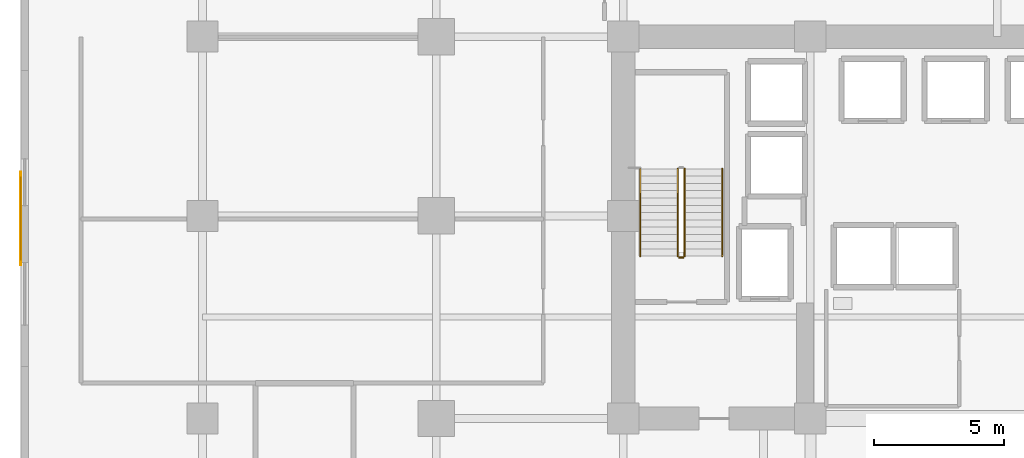
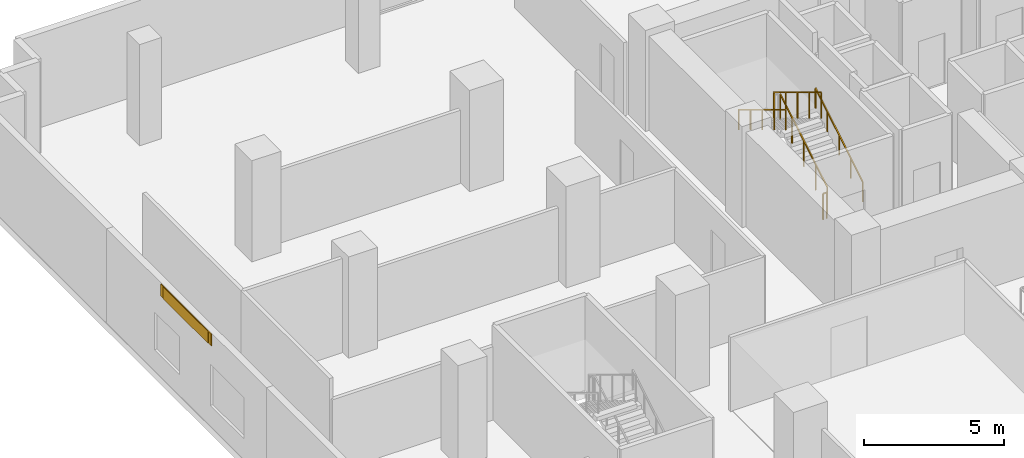
# One storey, part 17 of 22: 5 railings, 1 covering, 1 shading device.
"""IFC4 building model written with IfcOpenShell, lengths in metres."""

from ifc_helpers import new_model, si_unit, direction, frame, origin, origin_2d, place, context, subcontext, project, spatial, rectangle, extrude, source, transform, mapped, material, layer, layer_set, type_object, element, save


model = new_model("IFC4")

# Units and contexts
model_context = context("Model", 3, precision=1e-05, world=origin(), true_north=direction((0.0, 1.0)))
body_context = subcontext(model_context, "Body", "Model", "MODEL_VIEW")
ifc_project = project(units=[si_unit("LENGTHUNIT", "METRE"), si_unit("AREAUNIT", "SQUARE_METRE"), si_unit("VOLUMEUNIT", "CUBIC_METRE"), si_unit("PLANEANGLEUNIT", "RADIAN"), si_unit("MASSUNIT", "GRAM", prefix="KILO")], contexts=[model_context])

# Site, building, storey
site_placement = place(None, origin())
site = spatial("IfcSite", under=ifc_project, at=site_placement, CompositionType="ELEMENT")
building_placement = place(site_placement, origin())
building = spatial("IfcBuilding", under=site, at=building_placement, Name="Zarnakvel Exchange Tower", CompositionType="ELEMENT")
storey_placement = place(building_placement, frame((0.0, 0.0, 9.39990234375)))
storey = spatial("IfcBuildingStorey", under=building, at=storey_placement, Name="L02", CompositionType="ELEMENT", Elevation=9.39990234375)

# Railings
ifc_material_1 = material(Name="Brushed Stainless Steel", Category="steel")
railing_type_1 = type_object("IfcRailingType", Name="HR-01", PredefinedType="HANDRAIL", material=ifc_material_1)
railing_1_placement = place(storey_placement, frame((-10.590087890625, 5.050048828125, 0.16943359375)))
element("IfcRailing", 1, at=railing_1_placement, inside=storey, type_object=railing_type_1, Name="L02 ST-01 stair handrail 1", PredefinedType="HANDRAIL", context=body_context, shape_type="SweptSolid", body=[
    extrude(rectangle(XDim=0.048095703125, YDim=0.048095703125, at=origin_2d()), frame((0.0, 0.0, 0.8759765625), z_axis=(0.0, 0.855820338506, 0.51727318527), x_axis=(-1.0, 0.0, 0.0)), (0.0, 0.0, 1.0), 3.92578125),
    extrude(rectangle(XDim=0.0419921875, YDim=0.0419921875, at=origin_2d()), origin(), (0.0, 0.0, 1.0), 0.851806640625),
    extrude(rectangle(XDim=0.0419921875, YDim=0.0419921875, at=origin_2d()), frame((0.0, 0.83984375, 0.5078125)), (0.0, 0.0, 1.0), 0.851806640625),
    extrude(rectangle(XDim=0.0419921875, YDim=0.0419921875, at=origin_2d()), frame((0.0, 1.679931640625, 1.015380859375)), (0.0, 0.0, 1.0), 0.851806640625),
    extrude(rectangle(XDim=0.0419921875, YDim=0.0419921875, at=origin_2d()), frame((0.0, 2.52001953125, 1.52294921875)), (0.0, 0.0, 1.0), 0.851806640625),
    extrude(rectangle(XDim=0.0419921875, YDim=0.0419921875, at=origin_2d()), frame((0.0, 3.35986328125, 2.03076171875)), (0.0, 0.0, 1.0), 0.851806640625),
])
railing_2_placement = place(storey_placement, frame((-13.75, 8.409912109375, 2.369384765625)))
element("IfcRailing", 2, at=railing_2_placement, inside=storey, type_object=railing_type_1, Name="L02 ST-01 stair handrail 2", PredefinedType="HANDRAIL", context=body_context, shape_type="SweptSolid", body=[
    extrude(rectangle(XDim=0.048095703125, YDim=0.048095703125, at=origin_2d()), frame((0.0, 0.0, 0.8759765625), z_axis=(0.0, -0.855820338506, 0.51727318527), x_axis=(1.0, 0.0, 0.0)), (0.0, 0.0, 1.0), 3.92578125),
    extrude(rectangle(XDim=0.0419921875, YDim=0.0419921875, at=origin_2d()), origin(), (0.0, 0.0, 1.0), 0.851806640625),
    extrude(rectangle(XDim=0.0419921875, YDim=0.0419921875, at=origin_2d()), frame((0.0, -0.83984375, 0.5078125)), (0.0, 0.0, 1.0), 0.851806640625),
    extrude(rectangle(XDim=0.0419921875, YDim=0.0419921875, at=origin_2d()), frame((0.0, -1.679931640625, 1.015380859375)), (0.0, 0.0, 1.0), 0.851806640625),
    extrude(rectangle(XDim=0.0419921875, YDim=0.0419921875, at=origin_2d()), frame((0.0, -2.52001953125, 1.52294921875)), (0.0, 0.0, 1.0), 0.851806640625),
    extrude(rectangle(XDim=0.0419921875, YDim=0.0419921875, at=origin_2d()), frame((0.0, -3.35986328125, 2.03076171875)), (0.0, 0.0, 1.0), 0.851806640625),
])
ifc_material_2 = material(Name="Architectural Bronze Anodised Aluminium", Category="aluminium")
railing_type_2 = type_object("IfcRailingType", Name="SG-01", PredefinedType="GUARDRAIL", material=ifc_material_2)
railing_3_placement = place(storey_placement, frame((-12.0400390625, 5.050048828125, 0.16943359375)))
element("IfcRailing", 3, at=railing_3_placement, inside=storey, type_object=railing_type_2, Name="L02 ST-01 stair guard 1", PredefinedType="GUARDRAIL", context=body_context, shape_type="SweptSolid", body=[
    extrude(rectangle(XDim=0.048095703125, YDim=0.048095703125, at=origin_2d()), frame((0.0, 0.0, 1.1259765625), z_axis=(0.0, 0.855820338506, 0.51727318527), x_axis=(-1.0, 0.0, 0.0)), (0.0, 0.0, 1.0), 3.92578125),
    extrude(rectangle(XDim=0.0419921875, YDim=0.0419921875, at=origin_2d()), origin(), (0.0, 0.0, 1.0), 1.101806640625),
    extrude(rectangle(XDim=0.0419921875, YDim=0.0419921875, at=origin_2d()), frame((0.0, 0.83984375, 0.5078125)), (0.0, 0.0, 1.0), 1.101806640625),
    extrude(rectangle(XDim=0.0419921875, YDim=0.0419921875, at=origin_2d()), frame((0.0, 1.679931640625, 1.015380859375)), (0.0, 0.0, 1.0), 1.101806640625),
    extrude(rectangle(XDim=0.0419921875, YDim=0.0419921875, at=origin_2d()), frame((0.0, 2.52001953125, 1.52294921875)), (0.0, 0.0, 1.0), 1.101806640625),
    extrude(rectangle(XDim=0.0419921875, YDim=0.0419921875, at=origin_2d()), frame((0.0, 3.35986328125, 2.03076171875)), (0.0, 0.0, 1.0), 1.101806640625),
])
railing_4_placement = place(storey_placement, frame((-12.300048828125, 8.409912109375, 2.369384765625)))
element("IfcRailing", 4, at=railing_4_placement, inside=storey, type_object=railing_type_2, Name="L02 ST-01 stair guard 3", PredefinedType="GUARDRAIL", context=body_context, shape_type="SweptSolid", body=[
    extrude(rectangle(XDim=0.048095703125, YDim=0.048095703125, at=origin_2d()), frame((0.0, 0.0, 1.1259765625), z_axis=(0.0, -0.855820338506, 0.51727318527), x_axis=(1.0, 0.0, 0.0)), (0.0, 0.0, 1.0), 3.92578125),
    extrude(rectangle(XDim=0.0419921875, YDim=0.0419921875, at=origin_2d()), origin(), (0.0, 0.0, 1.0), 1.101806640625),
    extrude(rectangle(XDim=0.0419921875, YDim=0.0419921875, at=origin_2d()), frame((0.0, -0.83984375, 0.5078125)), (0.0, 0.0, 1.0), 1.101806640625),
    extrude(rectangle(XDim=0.0419921875, YDim=0.0419921875, at=origin_2d()), frame((0.0, -1.679931640625, 1.015380859375)), (0.0, 0.0, 1.0), 1.101806640625),
    extrude(rectangle(XDim=0.0419921875, YDim=0.0419921875, at=origin_2d()), frame((0.0, -2.52001953125, 1.52294921875)), (0.0, 0.0, 1.0), 1.101806640625),
    extrude(rectangle(XDim=0.0419921875, YDim=0.0419921875, at=origin_2d()), frame((0.0, -3.35986328125, 2.03076171875)), (0.0, 0.0, 1.0), 1.101806640625),
])
railing_5_placement = place(storey_placement, frame((-12.090087890625, 5.0, 0.0)))
element("IfcRailing", 5, at=railing_5_placement, inside=storey, type_object=railing_type_2, Name="L02 ST-01 stair guard 4", PredefinedType="GUARDRAIL", context=body_context, shape_type="SweptSolid", body=[
    extrude(rectangle(XDim=0.048095703125, YDim=0.048095703125, at=origin_2d()), frame((0.0, 0.0, 1.1259765625), z_axis=(-1.0, 0.0, 0.0), x_axis=(0.0, -1.0, 0.0)), (0.0, 0.0, 1.0), 0.159912109375),
    extrude(rectangle(XDim=0.0419921875, YDim=0.0419921875, at=origin_2d()), origin(), (0.0, 0.0, 1.0), 1.101806640625),
    extrude(rectangle(XDim=0.0419921875, YDim=0.0419921875, at=origin_2d()), frame((-0.159912109375, 0.0, 0.0)), (0.0, 0.0, 1.0), 1.101806640625),
])

# Shading device
ifc_material_3 = material(Name="Perforated Architectural Bronze Screen", Category="aluminium")
ifc_layer_1 = layer(ifc_material_3, 0.044921875)
ifc_layer_set_1 = layer_set([ifc_layer_1], Name="Perforated Architectural Bronze Screen")
shading_device_type = type_object("IfcShadingDeviceType", Name="SS-01", PredefinedType="JALOUSIE", material=ifc_layer_set_1)
shared_shape_1 = source(origin(), body_context, "Body", "SweptSolid", [
    extrude(rectangle(XDim=3.199951171875, YDim=0.044921875, at=origin_2d()), origin(), (0.0, 0.0, 1.0), 0.52001953125),
])
shading_device_placement = place(storey_placement, frame((-37.6005859375, 6.5, 3.56005859375), z_axis=(0.0, 0.0, 1.0), x_axis=(0.0, 1.0, 0.0)))
element("IfcShadingDevice", 6, at=shading_device_placement, inside=storey, type_object=shading_device_type, Name="L02 Bronze Solar Shading Screen SS-01", PredefinedType="JALOUSIE", context=body_context, shape_type="MappedRepresentation", body=[
    mapped(shared_shape_1, transform((0.0, 0.0, 0.0), x_axis=(1.0, 0.0, 0.0), y_axis=(0.0, 1.0, 0.0), z_axis=(0.0, 0.0, 1.0), scale=1.0)),
])

# Covering
ifc_material_4 = material(Name="Warm Sandstone Terracotta Spandrel Tile", Category="masonry")
ifc_layer_2 = layer(ifc_material_4, 0.031982421875)
ifc_layer_set_2 = layer_set([ifc_layer_2], Name="Warm Sandstone Terracotta Spandrel Tile")
covering_type = type_object("IfcCoveringType", Name="CL-02", PredefinedType="CLADDING", material=ifc_layer_set_2)
shared_shape_2 = source(origin(), body_context, "Body", "SweptSolid", [
    extrude(rectangle(XDim=3.60009765625, YDim=0.031982421875, at=origin_2d()), origin(), (0.0, 0.0, 1.0), 0.52001953125),
])
covering_placement = place(storey_placement, frame((-37.593994140625, 6.5, 3.56005859375), z_axis=(0.0, 0.0, 1.0), x_axis=(0.0, 1.0, 0.0)))
element("IfcCovering", 7, at=covering_placement, inside=storey, type_object=covering_type, Name="L02 Ceramic Spandrel Tilework CL-02", PredefinedType="CLADDING", context=body_context, shape_type="MappedRepresentation", body=[
    mapped(shared_shape_2, transform((0.0, 0.0, 0.0), x_axis=(1.0, 0.0, 0.0), y_axis=(0.0, 1.0, 0.0), z_axis=(0.0, 0.0, 1.0), scale=1.0)),
])

save(model, "model.ifc")
